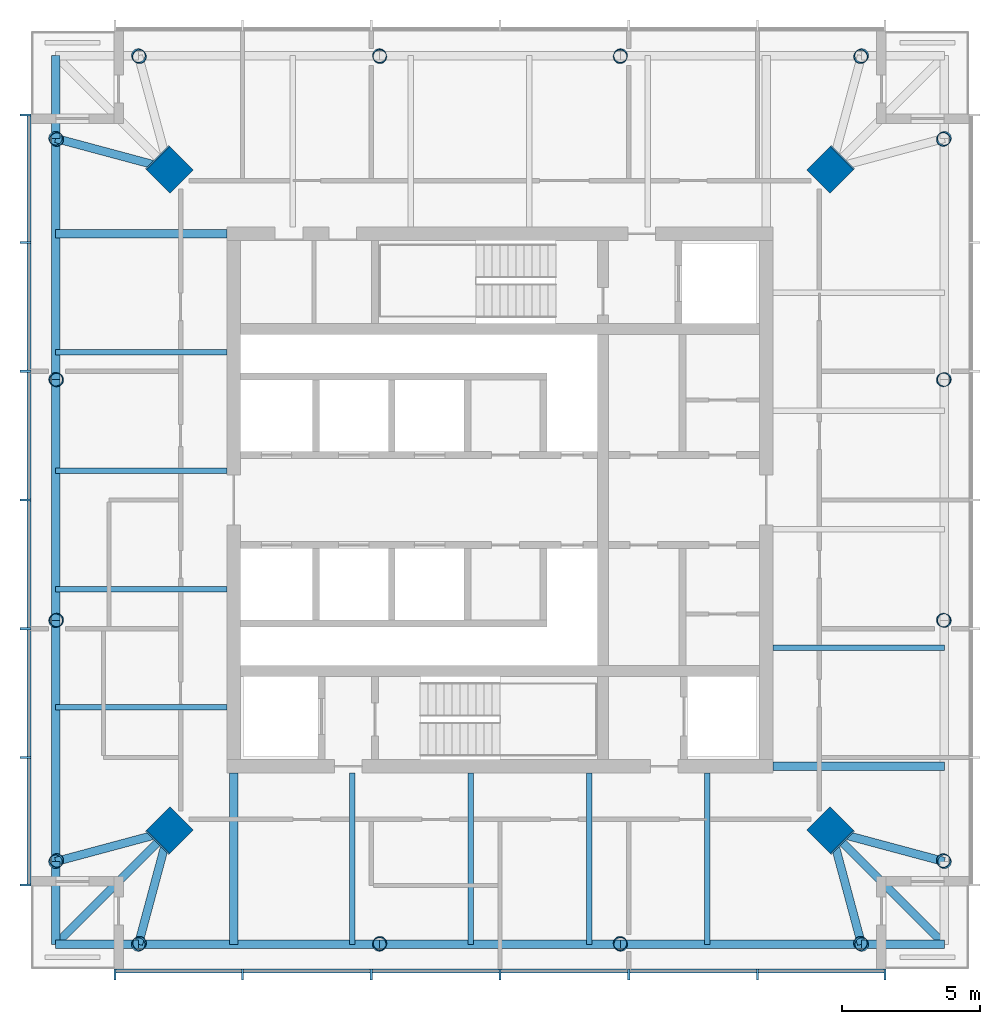
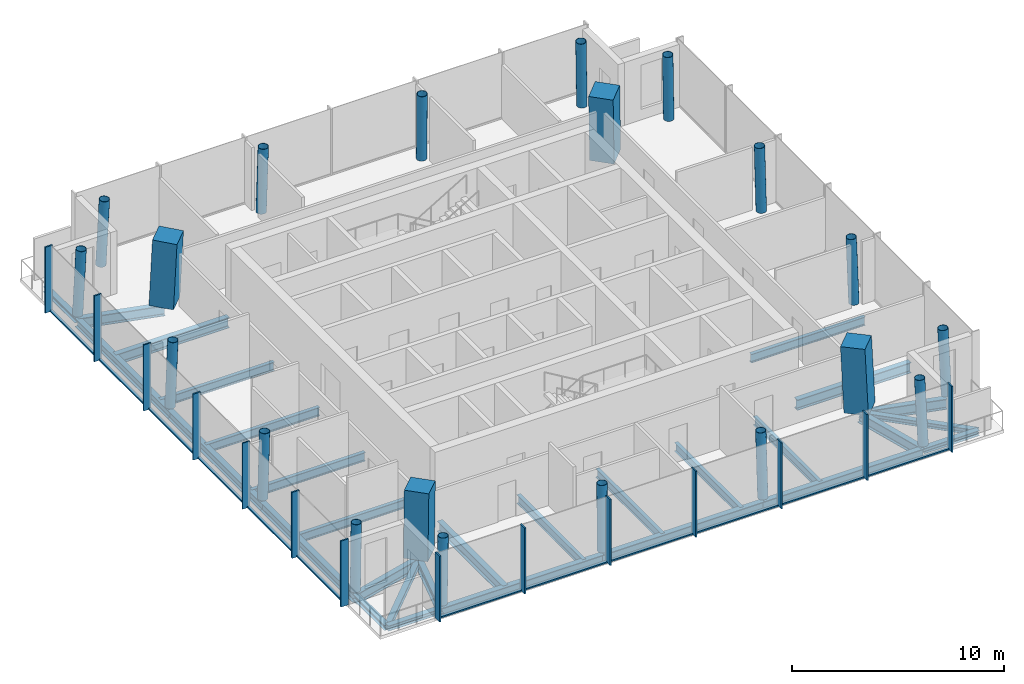
# One storey, part 1 of 7: 29 beams, 26 members, 20 columns, 2 elements without a shape of their own.
"""IFC4 building model written with IfcOpenShell, lengths in metres."""

from ifc_helpers import new_model, si_unit, direction, frame, origin, origin_2d, place, context, subcontext, project, spatial, rectangle, hollow_circle, i_section, extrude, material, material_profile, profile_set, type_object, element, aggregate, save


model = new_model("IFC4")

# Units and contexts
model_context = context("Model", 3, precision=1e-05, world=origin(), true_north=direction((0.0, 1.0)))
body_context = subcontext(model_context, "Body", "Model", "MODEL_VIEW")
ifc_project = project(units=[si_unit("LENGTHUNIT", "METRE"), si_unit("AREAUNIT", "SQUARE_METRE"), si_unit("VOLUMEUNIT", "CUBIC_METRE"), si_unit("PLANEANGLEUNIT", "RADIAN"), si_unit("MASSUNIT", "GRAM", prefix="KILO")], contexts=[model_context])

# Site, building, storey
site_placement = place(None, origin())
site = spatial("IfcSite", under=ifc_project, at=site_placement, CompositionType="ELEMENT")
building_placement = place(site_placement, origin())
building = spatial("IfcBuilding", under=site, at=building_placement, Name="Ostroluk Exchange", CompositionType="ELEMENT")
storey_placement = place(building_placement, frame((0.0, 0.0, 268.0)))
storey = spatial("IfcBuildingStorey", under=building, at=storey_placement, Name="L69", CompositionType="ELEMENT", Elevation=268.0)

# Columns
ifc_material_1 = material(Name="Concrete C50/60", Category="concrete")
ifc_material_profile_1 = material_profile(ifc_material_1, rectangle(XDim=1.199951171875, YDim=1.199951171875, at=origin_2d()), Name="RC 1200x1200")
ifc_profile_set_1 = profile_set([ifc_material_profile_1], Name="Concrete C50/60")
column_type_1 = type_object("IfcColumnType", Name="Mega column RC 1200x1200", PredefinedType="COLUMN", material=ifc_profile_set_1)
for number, where, z_axis, x_axis, name in (
    (1, (57.007080078125, 58.007080078125, 0.0), (-0.031898107953, -0.031898107953, 0.998981992539), (0.707106781187, -0.707106781187, 0.0), "T1 mega column NE"),
    (2, (32.992919921875, 58.007080078125, 0.0), (0.031898107953, -0.031898107953, 0.998981992539), (0.707106781187, 0.707106781187, 0.0), "T1 mega column NW"),
    (3, (32.992919921875, 33.992919921875, 0.0), (0.031898107953, 0.031898107953, 0.998981992539), (-0.707106781187, 0.707106781187, 0.0), "T1 mega column SW"),
    (4, (57.007080078125, 33.992919921875, 0.0), (-0.031898107953, 0.031898107953, 0.998981992539), (-0.707106781187, -0.707106781187, 0.0), "T1 mega column SE"),
):
    element("IfcColumn", number, at=place(storey_placement, frame(where, z_axis=z_axis, x_axis=x_axis)), inside=storey, type_object=column_type_1, Name=name, PredefinedType="COLUMN", context=body_context, shape_type="SweptSolid", body=[
        extrude(rectangle(XDim=1.199951171875, YDim=1.199951171875, at=origin_2d()), origin(), (0.0, 0.0, 1.0), 3.803955078125),
    ])
ifc_material_2 = material(Name="Steel S460", Category="steel")
ifc_material_profile_2 = material_profile(ifc_material_2, hollow_circle(Radius=0.25390625, WallThickness=0.02001953125, at=origin_2d()), Name="CHS 508x20")
ifc_profile_set_2 = profile_set([ifc_material_profile_2], Name="Steel S460")
column_type_2 = type_object("IfcColumnType", Name="Perimeter column CHS 508x20", PredefinedType="COLUMN", material=ifc_profile_set_2)
for number, where, z_axis, x_axis, name in (
    (5, (61.107177734375, 32.892822265625, 0.0), (-0.031962158256, 0.031962158256, 0.998977898093), (-0.707106781187, -0.707106781187, 0.0), "T1 east face column E0"),
    (6, (61.107177734375, 59.107177734375, 0.0), (-0.031962158256, -0.031962158256, 0.998977898093), (0.707106781187, -0.707106781187, 0.0), "T1 east face column E1"),
):
    element("IfcColumn", number, at=place(storey_placement, frame(where, z_axis=z_axis, x_axis=x_axis)), inside=storey, type_object=column_type_2, Name=name, PredefinedType="COLUMN", context=body_context, shape_type="SweptSolid", body=[
        extrude(hollow_circle(Radius=0.25390625, WallThickness=0.02001953125, at=origin_2d()), origin(), (0.0, 0.0, 1.0), 3.803955078125),
    ])
for number, where, z_axis, x_axis, name in (
    (7, (61.107177734375, 41.630859375, 0.0), (-0.031976680097, 0.010658893366, 0.999431778523), (-0.316227766017, -0.948683298051, 0.0), "T1 east face column I1"),
    (8, (61.107177734375, 50.369140625, 0.0), (-0.031976680097, -0.010658893366, 0.999431778523), (0.316227766017, -0.948683298051, 0.0), "T1 east face column I2"),
):
    element("IfcColumn", number, at=place(storey_placement, frame(where, z_axis=z_axis, x_axis=x_axis)), inside=storey, type_object=column_type_2, Name=name, PredefinedType="COLUMN", context=body_context, shape_type="SweptSolid", body=[
        extrude(hollow_circle(Radius=0.25390625, WallThickness=0.02001953125, at=origin_2d()), origin(), (0.0, 0.0, 1.0), 3.80224609375),
    ])
for number, where, z_axis, x_axis, name in (
    (9, (58.107177734375, 62.107177734375, 0.0), (-0.031962158256, -0.031962158256, 0.998977898093), (0.707106781187, -0.707106781187, 0.0), "T1 north face column E0"),
    (10, (31.892822265625, 62.107177734375, 0.0), (0.031962158256, -0.031962158256, 0.998977898093), (0.707106781187, 0.707106781187, 0.0), "T1 north face column E1"),
):
    element("IfcColumn", number, at=place(storey_placement, frame(where, z_axis=z_axis, x_axis=x_axis)), inside=storey, type_object=column_type_2, Name=name, PredefinedType="COLUMN", context=body_context, shape_type="SweptSolid", body=[
        extrude(hollow_circle(Radius=0.25390625, WallThickness=0.02001953125, at=origin_2d()), origin(), (0.0, 0.0, 1.0), 3.803955078125),
    ])
for number, where, z_axis, x_axis, name in (
    (11, (49.369140625, 62.107177734375, 0.0), (-0.010658893366, -0.031976680097, 0.999431778523), (0.948683298051, -0.316227766017, 0.0), "T1 north face column I1"),
    (12, (40.630859375, 62.107177734375, 0.0), (0.010658893366, -0.031976680097, 0.999431778523), (0.948683298051, 0.316227766017, 0.0), "T1 north face column I2"),
):
    element("IfcColumn", number, at=place(storey_placement, frame(where, z_axis=z_axis, x_axis=x_axis)), inside=storey, type_object=column_type_2, Name=name, PredefinedType="COLUMN", context=body_context, shape_type="SweptSolid", body=[
        extrude(hollow_circle(Radius=0.25390625, WallThickness=0.02001953125, at=origin_2d()), origin(), (0.0, 0.0, 1.0), 3.80224609375),
    ])
for number, where, z_axis, x_axis, name in (
    (13, (28.892822265625, 59.107177734375, 0.0), (0.031962158256, -0.031962158256, 0.998977898093), (0.707106781187, 0.707106781187, 0.0), "T1 west face column E0"),
    (14, (28.892822265625, 32.892822265625, 0.0), (0.031962158256, 0.031962158256, 0.998977898093), (-0.707106781187, 0.707106781187, 0.0), "T1 west face column E1"),
):
    element("IfcColumn", number, at=place(storey_placement, frame(where, z_axis=z_axis, x_axis=x_axis)), inside=storey, type_object=column_type_2, Name=name, PredefinedType="COLUMN", context=body_context, shape_type="SweptSolid", body=[
        extrude(hollow_circle(Radius=0.25390625, WallThickness=0.02001953125, at=origin_2d()), origin(), (0.0, 0.0, 1.0), 3.803955078125),
    ])
for number, where, z_axis, x_axis, name in (
    (15, (28.892822265625, 50.369140625, 0.0), (0.031976680097, -0.010658893366, 0.999431778523), (0.316227766017, 0.948683298051, 0.0), "T1 west face column I1"),
    (16, (28.892822265625, 41.630859375, 0.0), (0.031976680097, 0.010658893366, 0.999431778523), (-0.316227766017, 0.948683298051, 0.0), "T1 west face column I2"),
):
    element("IfcColumn", number, at=place(storey_placement, frame(where, z_axis=z_axis, x_axis=x_axis)), inside=storey, type_object=column_type_2, Name=name, PredefinedType="COLUMN", context=body_context, shape_type="SweptSolid", body=[
        extrude(hollow_circle(Radius=0.25390625, WallThickness=0.02001953125, at=origin_2d()), origin(), (0.0, 0.0, 1.0), 3.80224609375),
    ])
for number, where, z_axis, x_axis, name in (
    (17, (31.892822265625, 29.892822265625, 0.0), (0.031962158256, 0.031962158256, 0.998977898093), (-0.707106781187, 0.707106781187, 0.0), "T1 south face column E0"),
    (18, (58.107177734375, 29.892822265625, 0.0), (-0.031962158256, 0.031962158256, 0.998977898093), (-0.707106781187, -0.707106781187, 0.0), "T1 south face column E1"),
):
    element("IfcColumn", number, at=place(storey_placement, frame(where, z_axis=z_axis, x_axis=x_axis)), inside=storey, type_object=column_type_2, Name=name, PredefinedType="COLUMN", context=body_context, shape_type="SweptSolid", body=[
        extrude(hollow_circle(Radius=0.25390625, WallThickness=0.02001953125, at=origin_2d()), origin(), (0.0, 0.0, 1.0), 3.803955078125),
    ])
for number, where, z_axis, x_axis, name in (
    (19, (40.630859375, 29.892822265625, 0.0), (0.010658893366, 0.031976680097, 0.999431778523), (-0.948683298051, 0.316227766017, 0.0), "T1 south face column I1"),
    (20, (49.369140625, 29.892822265625, 0.0), (-0.010658893366, 0.031976680097, 0.999431778523), (-0.948683298051, -0.316227766017, 0.0), "T1 south face column I2"),
):
    element("IfcColumn", number, at=place(storey_placement, frame(where, z_axis=z_axis, x_axis=x_axis)), inside=storey, type_object=column_type_2, Name=name, PredefinedType="COLUMN", context=body_context, shape_type="SweptSolid", body=[
        extrude(hollow_circle(Radius=0.25390625, WallThickness=0.02001953125, at=origin_2d()), origin(), (0.0, 0.0, 1.0), 3.80224609375),
    ])

# Beams
ifc_material_3 = material(Name="Steel S355", Category="steel")
ifc_material_profile_3 = material_profile(ifc_material_3, i_section(OverallWidth=0.300048828125, OverallDepth=0.300048828125, WebThickness=0.010986328125, FlangeThickness=0.01904296875, FilletRadius=0.027099609375, at=origin_2d()), Name="HEB 300")
ifc_profile_set_3 = profile_set([ifc_material_profile_3], Name="Steel S355")
beam_type_1 = type_object("IfcBeamType", Name="Balcony beam HEB 300", PredefinedType="BEAM", material=ifc_profile_set_3)
for number, where, z_axis, x_axis, name in (
    (21, (28.892822265625, 59.107177734375, -0.330078125), (0.0, 1.0, 0.0), (-1.0, 0.0, 0.0), "T1 north balcony beam b"),
    (22, (28.892822265625, 32.892822265625, -0.330078125), (0.0, -1.0, 0.0), (1.0, 0.0, 0.0), "T1 west balcony beam a"),
    (23, (31.892822265625, 29.892822265625, -0.330078125), (-1.0, 0.0, 0.0), (0.0, -1.0, 0.0), "T1 west balcony beam b"),
):
    element("IfcBeam", number, at=place(storey_placement, frame(where, z_axis=z_axis, x_axis=x_axis)), inside=storey, type_object=beam_type_1, Name=name, PredefinedType="BEAM", context=body_context, shape_type="SweptSolid", body=[
        extrude(i_section(OverallWidth=0.300048828125, OverallDepth=0.300048828125, WebThickness=0.010986328125, FlangeThickness=0.01904296875, FilletRadius=0.027099609375, at=origin_2d()), origin(), (0.0, 0.0, 1.0), 3.0),
    ])
beam_1_placement = place(storey_placement, frame((32.992919921875, 33.992919921875, -0.330078125), z_axis=(-0.707106781187, -0.707106781187, 0.0), x_axis=(0.707106781187, -0.707106781187, 0.0)))
element("IfcBeam", 24, at=beam_1_placement, inside=storey, type_object=beam_type_1, Name="T1 west balcony beam c", PredefinedType="BEAM", context=body_context, shape_type="SweptSolid", body=[
    extrude(i_section(OverallWidth=0.300048828125, OverallDepth=0.300048828125, WebThickness=0.010986328125, FlangeThickness=0.01904296875, FilletRadius=0.027099609375, at=origin_2d()), origin(), (0.0, 0.0, 1.0), 5.79833984375),
])
beam_2_placement = place(storey_placement, frame((58.107177734375, 29.892822265625, -0.330078125), z_axis=(1.0, 0.0, 0.0), x_axis=(0.0, 1.0, 0.0)))
element("IfcBeam", 25, at=beam_2_placement, inside=storey, type_object=beam_type_1, Name="T1 south balcony beam a", PredefinedType="BEAM", context=body_context, shape_type="SweptSolid", body=[
    extrude(i_section(OverallWidth=0.300048828125, OverallDepth=0.300048828125, WebThickness=0.010986328125, FlangeThickness=0.01904296875, FilletRadius=0.027099609375, at=origin_2d()), origin(), (0.0, 0.0, 1.0), 3.0),
])
beam_3_placement = place(storey_placement, frame((57.007080078125, 33.992919921875, -0.330078125), z_axis=(0.707106781187, -0.707106781187, 0.0), x_axis=(0.707106781187, 0.707106781187, 0.0)))
element("IfcBeam", 26, at=beam_3_placement, inside=storey, type_object=beam_type_1, Name="T1 south balcony beam c", PredefinedType="BEAM", context=body_context, shape_type="SweptSolid", body=[
    extrude(i_section(OverallWidth=0.300048828125, OverallDepth=0.300048828125, WebThickness=0.010986328125, FlangeThickness=0.01904296875, FilletRadius=0.027099609375, at=origin_2d()), origin(), (0.0, 0.0, 1.0), 5.79833984375),
])
ifc_material_4 = material(Name="Steel S355", Category="steel")
ifc_material_profile_4 = material_profile(ifc_material_4, i_section(OverallWidth=0.300048828125, OverallDepth=0.60009765625, WebThickness=0.015380859375, FlangeThickness=0.030029296875, FilletRadius=0.027099609375, at=origin_2d()), Name="HEB 600")
ifc_profile_set_4 = profile_set([ifc_material_profile_4], Name="Steel S355")
beam_type_2 = type_object("IfcBeamType", Name="Corner edge beam HEB 600", PredefinedType="SPANDREL", material=ifc_profile_set_4)
for number, where, z_axis, x_axis, name in (
    (27, (32.992919921875, 58.007080078125, -0.47998046875), (-0.965838624319, 0.259144268261, 0.0), (-0.259144268261, -0.965838624319, 0.0), "T1 north corner edge beam b"),
    (28, (32.992919921875, 33.992919921875, -0.47998046875), (-0.965838624319, -0.259144268261, 0.0), (0.259144268261, -0.965838624319, 0.0), "T1 west corner edge beam a"),
    (29, (32.992919921875, 33.992919921875, -0.47998046875), (-0.259144268261, -0.965838624319, 0.0), (0.965838624319, -0.259144268261, 0.0), "T1 west corner edge beam b"),
    (30, (57.007080078125, 33.992919921875, -0.47998046875), (0.259144268261, -0.965838624319, 0.0), (0.965838624319, 0.259144268261, 0.0), "T1 south corner edge beam a"),
    (31, (57.007080078125, 33.992919921875, -0.47998046875), (0.965838624319, -0.259144268261, 0.0), (0.259144268261, 0.965838624319, 0.0), "T1 south corner edge beam b"),
):
    element("IfcBeam", number, at=place(storey_placement, frame(where, z_axis=z_axis, x_axis=x_axis)), inside=storey, type_object=beam_type_2, Name=name, PredefinedType="SPANDREL", context=body_context, shape_type="SweptSolid", body=[
        extrude(i_section(OverallWidth=0.300048828125, OverallDepth=0.60009765625, WebThickness=0.015380859375, FlangeThickness=0.030029296875, FilletRadius=0.027099609375, at=origin_2d()), origin(), (0.0, 0.0, 1.0), 4.2451171875),
    ])
ifc_material_5 = material(Name="Steel S355", Category="steel")
ifc_material_profile_5 = material_profile(ifc_material_5, i_section(OverallWidth=0.199951171875, OverallDepth=0.5, WebThickness=0.01025390625, FlangeThickness=0.01611328125, FilletRadius=0.02099609375, at=origin_2d()), Name="IPE 500")
ifc_profile_set_5 = profile_set([ifc_material_profile_5], Name="Steel S355")
beam_type_3 = type_object("IfcBeamType", Name="Floor beam IPE 500", PredefinedType="BEAM", material=ifc_profile_set_5)
for number, where, z_axis, x_axis, name in (
    (32, (54.89990234375, 40.642822265625, -0.429931640625), (1.0, 0.0, 0.0), (0.0, 1.0, 0.0), "T1 east floor beam 1"),
    (33, (35.10009765625, 51.357177734375, -0.429931640625), (-1.0, 0.0, 0.0), (0.0, -1.0, 0.0), "T1 west floor beam 1"),
    (34, (35.10009765625, 47.064208984375, -0.429931640625), (-1.0, 0.0, 0.0), (0.0, -1.0, 0.0), "T1 west floor beam 2"),
    (35, (35.10009765625, 42.771484375, -0.429931640625), (-1.0, 0.0, 0.0), (0.0, -1.0, 0.0), "T1 west floor beam 3"),
    (36, (35.10009765625, 38.478515625, -0.429931640625), (-1.0, 0.0, 0.0), (0.0, -1.0, 0.0), "T1 west floor beam 4"),
    (37, (39.642822265625, 36.10009765625, -0.429931640625), (0.0, -1.0, 0.0), (1.0, 0.0, 0.0), "T1 south floor beam 1"),
    (38, (43.935791015625, 36.10009765625, -0.429931640625), (0.0, -1.0, 0.0), (1.0, 0.0, 0.0), "T1 south floor beam 2"),
    (39, (48.228515625, 36.10009765625, -0.429931640625), (0.0, -1.0, 0.0), (1.0, 0.0, 0.0), "T1 south floor beam 3"),
    (40, (52.521484375, 36.10009765625, -0.429931640625), (0.0, -1.0, 0.0), (1.0, 0.0, 0.0), "T1 south floor beam 4"),
):
    element("IfcBeam", number, at=place(storey_placement, frame(where, z_axis=z_axis, x_axis=x_axis)), inside=storey, type_object=beam_type_3, Name=name, PredefinedType="BEAM", context=body_context, shape_type="SweptSolid", body=[
        extrude(i_section(OverallWidth=0.199951171875, OverallDepth=0.5, WebThickness=0.01025390625, FlangeThickness=0.01611328125, FilletRadius=0.02099609375, at=origin_2d()), origin(), (0.0, 0.0, 1.0), 6.207275390625),
    ])
ifc_material_6 = material(Name="Steel S355", Category="steel")
ifc_material_profile_6 = material_profile(ifc_material_6, i_section(OverallWidth=0.300048828125, OverallDepth=0.60009765625, WebThickness=0.015380859375, FlangeThickness=0.030029296875, FilletRadius=0.027099609375, at=origin_2d()), Name="HEB 600")
ifc_profile_set_6 = profile_set([ifc_material_profile_6], Name="Steel S355")
beam_type_4 = type_object("IfcBeamType", Name="Girder HEB 600", PredefinedType="BEAM", material=ifc_profile_set_6)
for number, where, z_axis, x_axis, name in (
    (41, (35.10009765625, 55.64990234375, -0.47998046875), (-1.0, 0.0, 0.0), (0.0, -1.0, 0.0), "T1 north girder"),
    (42, (35.35009765625, 36.10009765625, -0.47998046875), (0.0, -1.0, 0.0), (1.0, 0.0, 0.0), "T1 west girder"),
    (43, (54.89990234375, 36.35009765625, -0.47998046875), (1.0, 0.0, 0.0), (0.0, 1.0, 0.0), "T1 south girder"),
):
    element("IfcBeam", number, at=place(storey_placement, frame(where, z_axis=z_axis, x_axis=x_axis)), inside=storey, type_object=beam_type_4, Name=name, PredefinedType="BEAM", context=body_context, shape_type="SweptSolid", body=[
        extrude(i_section(OverallWidth=0.300048828125, OverallDepth=0.60009765625, WebThickness=0.015380859375, FlangeThickness=0.030029296875, FilletRadius=0.027099609375, at=origin_2d()), origin(), (0.0, 0.0, 1.0), 6.207275390625),
    ])
ifc_material_7 = material(Name="Steel S355", Category="steel")
ifc_material_profile_7 = material_profile(ifc_material_7, i_section(OverallWidth=0.300048828125, OverallDepth=0.5, WebThickness=0.014404296875, FlangeThickness=0.028076171875, FilletRadius=0.027099609375, at=origin_2d()), Name="HEB 500")
ifc_profile_set_7 = profile_set([ifc_material_profile_7], Name="Steel S355")
beam_type_5 = type_object("IfcBeamType", Name="Moment-connected edge beam HEB 500", PredefinedType="SPANDREL", material=ifc_profile_set_7)
beam_4_placement = place(storey_placement, frame((28.892822265625, 59.107177734375, -0.429931640625), z_axis=(0.0, -1.0, 0.0), x_axis=(1.0, 0.0, 0.0)))
element("IfcBeam", 44, at=beam_4_placement, inside=storey, type_object=beam_type_5, Name="T1 west edge beam 1", PredefinedType="SPANDREL", context=body_context, shape_type="SweptSolid", body=[
    extrude(i_section(OverallWidth=0.300048828125, OverallDepth=0.5, WebThickness=0.014404296875, FlangeThickness=0.028076171875, FilletRadius=0.027099609375, at=origin_2d()), origin(), (0.0, 0.0, 1.0), 8.738037109375),
])
beam_5_placement = place(storey_placement, frame((28.892822265625, 50.369140625, -0.429931640625), z_axis=(0.0, -1.0, 0.0), x_axis=(1.0, 0.0, 0.0)))
element("IfcBeam", 45, at=beam_5_placement, inside=storey, type_object=beam_type_5, Name="T1 west edge beam 2", PredefinedType="SPANDREL", context=body_context, shape_type="SweptSolid", body=[
    extrude(i_section(OverallWidth=0.300048828125, OverallDepth=0.5, WebThickness=0.014404296875, FlangeThickness=0.028076171875, FilletRadius=0.027099609375, at=origin_2d()), origin(), (0.0, 0.0, 1.0), 8.73828125),
])
for number, where, z_axis, x_axis, name in (
    (46, (28.892822265625, 41.630859375, -0.429931640625), (0.0, -1.0, 0.0), (1.0, 0.0, 0.0), "T1 west edge beam 3"),
    (47, (31.892822265625, 29.892822265625, -0.429931640625), (1.0, 0.0, 0.0), (0.0, 1.0, 0.0), "T1 south edge beam 1"),
):
    element("IfcBeam", number, at=place(storey_placement, frame(where, z_axis=z_axis, x_axis=x_axis)), inside=storey, type_object=beam_type_5, Name=name, PredefinedType="SPANDREL", context=body_context, shape_type="SweptSolid", body=[
        extrude(i_section(OverallWidth=0.300048828125, OverallDepth=0.5, WebThickness=0.014404296875, FlangeThickness=0.028076171875, FilletRadius=0.027099609375, at=origin_2d()), origin(), (0.0, 0.0, 1.0), 8.738037109375),
    ])
beam_6_placement = place(storey_placement, frame((40.630859375, 29.892822265625, -0.429931640625), z_axis=(1.0, 0.0, 0.0), x_axis=(0.0, 1.0, 0.0)))
element("IfcBeam", 48, at=beam_6_placement, inside=storey, type_object=beam_type_5, Name="T1 south edge beam 2", PredefinedType="SPANDREL", context=body_context, shape_type="SweptSolid", body=[
    extrude(i_section(OverallWidth=0.300048828125, OverallDepth=0.5, WebThickness=0.014404296875, FlangeThickness=0.028076171875, FilletRadius=0.027099609375, at=origin_2d()), origin(), (0.0, 0.0, 1.0), 8.73828125),
])
beam_7_placement = place(storey_placement, frame((49.369140625, 29.892822265625, -0.429931640625), z_axis=(1.0, 0.0, 0.0), x_axis=(0.0, 1.0, 0.0)))
element("IfcBeam", 49, at=beam_7_placement, inside=storey, type_object=beam_type_5, Name="T1 south edge beam 3", PredefinedType="SPANDREL", context=body_context, shape_type="SweptSolid", body=[
    extrude(i_section(OverallWidth=0.300048828125, OverallDepth=0.5, WebThickness=0.014404296875, FlangeThickness=0.028076171875, FilletRadius=0.027099609375, at=origin_2d()), origin(), (0.0, 0.0, 1.0), 8.738037109375),
])

# Curtain wall, members
ifc_material_8 = material(Name="Laminated clear glass", Category="glass")
curtain_wall_type = type_object("IfcCurtainWallType", Name="Office tower facade", PredefinedType="USERDEFINED", material=ifc_material_8)
curtain_wall_1_placement = place(storey_placement, origin())
curtain_wall_1 = element("IfcCurtainWall", 50, at=curtain_wall_1_placement, inside=storey, type_object=curtain_wall_type, Name="Office tower south facade L69", ObjectType="UNITISED CURTAIN WALL", PredefinedType="USERDEFINED")
ifc_material_9 = material(Name="Aluminium mullion", Category="aluminium")
ifc_material_profile_8 = material_profile(ifc_material_9, rectangle(XDim=0.14990234375, YDim=0.080078125, at=origin_2d()), Name="Sill transom 80 x 150")
ifc_profile_set_8 = profile_set([ifc_material_profile_8], Name="Aluminium mullion")
member_type_1 = type_object("IfcMemberType", Name="Sill transom 80 x 150", PredefinedType="USERDEFINED", material=ifc_profile_set_8)
member_1_placement = place(storey_placement, frame((31.080078125, 28.925048828125, 0.0400390625), z_axis=(1.0, 0.0, 0.0), x_axis=(0.0, 1.0, 0.0)))
member_1 = element("IfcMember", 51, at=member_1_placement, type_object=member_type_1, Name="CW-O1 transom 1.1", ObjectType="TRANSOM", PredefinedType="USERDEFINED", context=body_context, shape_type="SweptSolid", body=[
    extrude(rectangle(XDim=0.14990234375, YDim=0.080078125, at=origin_2d()), origin(), (0.0, 0.0, 1.0), 4.546630859375),
])
member_2_placement = place(storey_placement, frame((35.706787109375, 28.925048828125, 0.0400390625), z_axis=(1.0, 0.0, 0.0), x_axis=(0.0, 1.0, 0.0)))
member_2 = element("IfcMember", 52, at=member_2_placement, type_object=member_type_1, Name="CW-O1 transom 2.1", ObjectType="TRANSOM", PredefinedType="USERDEFINED", context=body_context, shape_type="SweptSolid", body=[
    extrude(rectangle(XDim=0.14990234375, YDim=0.080078125, at=origin_2d()), origin(), (0.0, 0.0, 1.0), 4.58642578125),
])
member_3_placement = place(storey_placement, frame((40.373291015625, 28.925048828125, 0.0400390625), z_axis=(1.0, 0.0, 0.0), x_axis=(0.0, 1.0, 0.0)))
member_3 = element("IfcMember", 53, at=member_3_placement, type_object=member_type_1, Name="CW-O1 transom 3.1", ObjectType="TRANSOM", PredefinedType="USERDEFINED", context=body_context, shape_type="SweptSolid", body=[
    extrude(rectangle(XDim=0.14990234375, YDim=0.080078125, at=origin_2d()), origin(), (0.0, 0.0, 1.0), 4.586669921875),
])
member_4_placement = place(storey_placement, frame((45.0400390625, 28.925048828125, 0.0400390625), z_axis=(1.0, 0.0, 0.0), x_axis=(0.0, 1.0, 0.0)))
member_4 = element("IfcMember", 54, at=member_4_placement, type_object=member_type_1, Name="CW-O1 transom 4.1", ObjectType="TRANSOM", PredefinedType="USERDEFINED", context=body_context, shape_type="SweptSolid", body=[
    extrude(rectangle(XDim=0.14990234375, YDim=0.080078125, at=origin_2d()), origin(), (0.0, 0.0, 1.0), 4.586669921875),
])
member_5_placement = place(storey_placement, frame((49.706787109375, 28.925048828125, 0.0400390625), z_axis=(1.0, 0.0, 0.0), x_axis=(0.0, 1.0, 0.0)))
member_5 = element("IfcMember", 55, at=member_5_placement, type_object=member_type_1, Name="CW-O1 transom 5.1", ObjectType="TRANSOM", PredefinedType="USERDEFINED", context=body_context, shape_type="SweptSolid", body=[
    extrude(rectangle(XDim=0.14990234375, YDim=0.080078125, at=origin_2d()), origin(), (0.0, 0.0, 1.0), 4.58642578125),
])
member_6_placement = place(storey_placement, frame((54.373291015625, 28.925048828125, 0.0400390625), z_axis=(1.0, 0.0, 0.0), x_axis=(0.0, 1.0, 0.0)))
member_6 = element("IfcMember", 56, at=member_6_placement, type_object=member_type_1, Name="CW-O1 transom 6.1", ObjectType="TRANSOM", PredefinedType="USERDEFINED", context=body_context, shape_type="SweptSolid", body=[
    extrude(rectangle(XDim=0.14990234375, YDim=0.080078125, at=origin_2d()), origin(), (0.0, 0.0, 1.0), 4.546630859375),
])

curtain_wall_2_placement = place(storey_placement, origin())
curtain_wall_2 = element("IfcCurtainWall", 57, at=curtain_wall_2_placement, inside=storey, type_object=curtain_wall_type, Name="Office tower west facade L69", ObjectType="UNITISED CURTAIN WALL", PredefinedType="USERDEFINED")
member_7_placement = place(storey_placement, frame((27.925048828125, 59.919921875, 0.0400390625), z_axis=(0.0, -1.0, 0.0), x_axis=(1.0, 0.0, 0.0)))
member_7 = element("IfcMember", 58, at=member_7_placement, type_object=member_type_1, Name="CW-O1 transom 1.1", ObjectType="TRANSOM", PredefinedType="USERDEFINED", context=body_context, shape_type="SweptSolid", body=[
    extrude(rectangle(XDim=0.14990234375, YDim=0.080078125, at=origin_2d()), origin(), (0.0, 0.0, 1.0), 4.546630859375),
])
member_8_placement = place(storey_placement, frame((27.925048828125, 55.293212890625, 0.0400390625), z_axis=(0.0, -1.0, 0.0), x_axis=(1.0, 0.0, 0.0)))
member_8 = element("IfcMember", 59, at=member_8_placement, type_object=member_type_1, Name="CW-O1 transom 2.1", ObjectType="TRANSOM", PredefinedType="USERDEFINED", context=body_context, shape_type="SweptSolid", body=[
    extrude(rectangle(XDim=0.14990234375, YDim=0.080078125, at=origin_2d()), origin(), (0.0, 0.0, 1.0), 4.58642578125),
])
member_9_placement = place(storey_placement, frame((27.925048828125, 50.626708984375, 0.0400390625), z_axis=(0.0, -1.0, 0.0), x_axis=(1.0, 0.0, 0.0)))
member_9 = element("IfcMember", 60, at=member_9_placement, type_object=member_type_1, Name="CW-O1 transom 3.1", ObjectType="TRANSOM", PredefinedType="USERDEFINED", context=body_context, shape_type="SweptSolid", body=[
    extrude(rectangle(XDim=0.14990234375, YDim=0.080078125, at=origin_2d()), origin(), (0.0, 0.0, 1.0), 4.586669921875),
])
member_10_placement = place(storey_placement, frame((27.925048828125, 45.9599609375, 0.0400390625), z_axis=(0.0, -1.0, 0.0), x_axis=(1.0, 0.0, 0.0)))
member_10 = element("IfcMember", 61, at=member_10_placement, type_object=member_type_1, Name="CW-O1 transom 4.1", ObjectType="TRANSOM", PredefinedType="USERDEFINED", context=body_context, shape_type="SweptSolid", body=[
    extrude(rectangle(XDim=0.14990234375, YDim=0.080078125, at=origin_2d()), origin(), (0.0, 0.0, 1.0), 4.586669921875),
])
member_11_placement = place(storey_placement, frame((27.925048828125, 41.293212890625, 0.0400390625), z_axis=(0.0, -1.0, 0.0), x_axis=(1.0, 0.0, 0.0)))
member_11 = element("IfcMember", 62, at=member_11_placement, type_object=member_type_1, Name="CW-O1 transom 5.1", ObjectType="TRANSOM", PredefinedType="USERDEFINED", context=body_context, shape_type="SweptSolid", body=[
    extrude(rectangle(XDim=0.14990234375, YDim=0.080078125, at=origin_2d()), origin(), (0.0, 0.0, 1.0), 4.58642578125),
])
member_12_placement = place(storey_placement, frame((27.925048828125, 36.626708984375, 0.0400390625), z_axis=(0.0, -1.0, 0.0), x_axis=(1.0, 0.0, 0.0)))
member_12 = element("IfcMember", 63, at=member_12_placement, type_object=member_type_1, Name="CW-O1 transom 6.1", ObjectType="TRANSOM", PredefinedType="USERDEFINED", context=body_context, shape_type="SweptSolid", body=[
    extrude(rectangle(XDim=0.14990234375, YDim=0.080078125, at=origin_2d()), origin(), (0.0, 0.0, 1.0), 4.546630859375),
])

# Member
ifc_material_10 = material(Name="Aluminium mullion with limestone facing", Category="masonry")
ifc_material_profile_9 = material_profile(ifc_material_10, rectangle(XDim=0.39990234375, YDim=0.080078125, at=origin_2d()), Name="Tracery mullion 80 x 400")
ifc_profile_set_9 = profile_set([ifc_material_profile_9], Name="Aluminium mullion with limestone facing")
member_type_2 = type_object("IfcMemberType", Name="Tracery mullion 80 x 400", PredefinedType="MULLION", material=ifc_profile_set_9)
member_13_placement = place(storey_placement, frame((31.0400390625, 28.800048828125, 0.0), z_axis=(0.0, 0.0, 1.0), x_axis=(0.0, 1.0, 0.0)))
member_13 = element("IfcMember", 64, at=member_13_placement, type_object=member_type_2, Name="CW-O1 mullion 1", PredefinedType="MULLION", context=body_context, shape_type="SweptSolid", body=[
    extrude(rectangle(XDim=0.39990234375, YDim=0.080078125, at=origin_2d()), origin(), (0.0, 0.0, 1.0), 3.800048828125),
])

member_14_placement = place(storey_placement, frame((35.666748046875, 28.800048828125, 0.0), z_axis=(0.0, 0.0, 1.0), x_axis=(0.0, 1.0, 0.0)))
member_14 = element("IfcMember", 65, at=member_14_placement, type_object=member_type_2, Name="CW-O1 mullion 2", PredefinedType="MULLION", context=body_context, shape_type="SweptSolid", body=[
    extrude(rectangle(XDim=0.39990234375, YDim=0.080078125, at=origin_2d()), origin(), (0.0, 0.0, 1.0), 3.800048828125),
])

member_15_placement = place(storey_placement, frame((40.333251953125, 28.800048828125, 0.0), z_axis=(0.0, 0.0, 1.0), x_axis=(0.0, 1.0, 0.0)))
member_15 = element("IfcMember", 66, at=member_15_placement, type_object=member_type_2, Name="CW-O1 mullion 3", PredefinedType="MULLION", context=body_context, shape_type="SweptSolid", body=[
    extrude(rectangle(XDim=0.39990234375, YDim=0.080078125, at=origin_2d()), origin(), (0.0, 0.0, 1.0), 3.800048828125),
])

member_16_placement = place(storey_placement, frame((45.0, 28.800048828125, 0.0), z_axis=(0.0, 0.0, 1.0), x_axis=(0.0, 1.0, 0.0)))
member_16 = element("IfcMember", 67, at=member_16_placement, type_object=member_type_2, Name="CW-O1 mullion 4", PredefinedType="MULLION", context=body_context, shape_type="SweptSolid", body=[
    extrude(rectangle(XDim=0.39990234375, YDim=0.080078125, at=origin_2d()), origin(), (0.0, 0.0, 1.0), 3.800048828125),
])

member_17_placement = place(storey_placement, frame((49.666748046875, 28.800048828125, 0.0), z_axis=(0.0, 0.0, 1.0), x_axis=(0.0, 1.0, 0.0)))
member_17 = element("IfcMember", 68, at=member_17_placement, type_object=member_type_2, Name="CW-O1 mullion 5", PredefinedType="MULLION", context=body_context, shape_type="SweptSolid", body=[
    extrude(rectangle(XDim=0.39990234375, YDim=0.080078125, at=origin_2d()), origin(), (0.0, 0.0, 1.0), 3.800048828125),
])

member_18_placement = place(storey_placement, frame((54.333251953125, 28.800048828125, 0.0), z_axis=(0.0, 0.0, 1.0), x_axis=(0.0, 1.0, 0.0)))
member_18 = element("IfcMember", 69, at=member_18_placement, type_object=member_type_2, Name="CW-O1 mullion 6", PredefinedType="MULLION", context=body_context, shape_type="SweptSolid", body=[
    extrude(rectangle(XDim=0.39990234375, YDim=0.080078125, at=origin_2d()), origin(), (0.0, 0.0, 1.0), 3.800048828125),
])

member_19_placement = place(storey_placement, frame((58.9599609375, 28.800048828125, 0.0), z_axis=(0.0, 0.0, 1.0), x_axis=(0.0, 1.0, 0.0)))
member_19 = element("IfcMember", 70, at=member_19_placement, type_object=member_type_2, Name="CW-O1 mullion 7", PredefinedType="MULLION", context=body_context, shape_type="SweptSolid", body=[
    extrude(rectangle(XDim=0.39990234375, YDim=0.080078125, at=origin_2d()), origin(), (0.0, 0.0, 1.0), 3.800048828125),
])

aggregate(curtain_wall_1, [member_13, member_14, member_15, member_16, member_17, member_18, member_19, member_1, member_2, member_3, member_4, member_5, member_6])

member_20_placement = place(storey_placement, frame((27.800048828125, 59.9599609375, 0.0), z_axis=(0.0, 0.0, 1.0), x_axis=(1.0, 0.0, 0.0)))
member_20 = element("IfcMember", 71, at=member_20_placement, type_object=member_type_2, Name="CW-O1 mullion 1", PredefinedType="MULLION", context=body_context, shape_type="SweptSolid", body=[
    extrude(rectangle(XDim=0.39990234375, YDim=0.080078125, at=origin_2d()), origin(), (0.0, 0.0, 1.0), 3.800048828125),
])

member_21_placement = place(storey_placement, frame((27.800048828125, 55.333251953125, 0.0), z_axis=(0.0, 0.0, 1.0), x_axis=(1.0, 0.0, 0.0)))
member_21 = element("IfcMember", 72, at=member_21_placement, type_object=member_type_2, Name="CW-O1 mullion 2", PredefinedType="MULLION", context=body_context, shape_type="SweptSolid", body=[
    extrude(rectangle(XDim=0.39990234375, YDim=0.080078125, at=origin_2d()), origin(), (0.0, 0.0, 1.0), 3.800048828125),
])

member_22_placement = place(storey_placement, frame((27.800048828125, 50.666748046875, 0.0), z_axis=(0.0, 0.0, 1.0), x_axis=(1.0, 0.0, 0.0)))
member_22 = element("IfcMember", 73, at=member_22_placement, type_object=member_type_2, Name="CW-O1 mullion 3", PredefinedType="MULLION", context=body_context, shape_type="SweptSolid", body=[
    extrude(rectangle(XDim=0.39990234375, YDim=0.080078125, at=origin_2d()), origin(), (0.0, 0.0, 1.0), 3.800048828125),
])

member_23_placement = place(storey_placement, frame((27.800048828125, 46.0, 0.0), z_axis=(0.0, 0.0, 1.0), x_axis=(1.0, 0.0, 0.0)))
member_23 = element("IfcMember", 74, at=member_23_placement, type_object=member_type_2, Name="CW-O1 mullion 4", PredefinedType="MULLION", context=body_context, shape_type="SweptSolid", body=[
    extrude(rectangle(XDim=0.39990234375, YDim=0.080078125, at=origin_2d()), origin(), (0.0, 0.0, 1.0), 3.800048828125),
])

member_24_placement = place(storey_placement, frame((27.800048828125, 41.333251953125, 0.0), z_axis=(0.0, 0.0, 1.0), x_axis=(1.0, 0.0, 0.0)))
member_24 = element("IfcMember", 75, at=member_24_placement, type_object=member_type_2, Name="CW-O1 mullion 5", PredefinedType="MULLION", context=body_context, shape_type="SweptSolid", body=[
    extrude(rectangle(XDim=0.39990234375, YDim=0.080078125, at=origin_2d()), origin(), (0.0, 0.0, 1.0), 3.800048828125),
])

member_25_placement = place(storey_placement, frame((27.800048828125, 36.666748046875, 0.0), z_axis=(0.0, 0.0, 1.0), x_axis=(1.0, 0.0, 0.0)))
member_25 = element("IfcMember", 76, at=member_25_placement, type_object=member_type_2, Name="CW-O1 mullion 6", PredefinedType="MULLION", context=body_context, shape_type="SweptSolid", body=[
    extrude(rectangle(XDim=0.39990234375, YDim=0.080078125, at=origin_2d()), origin(), (0.0, 0.0, 1.0), 3.800048828125),
])

member_26_placement = place(storey_placement, frame((27.800048828125, 32.0400390625, 0.0), z_axis=(0.0, 0.0, 1.0), x_axis=(1.0, 0.0, 0.0)))
member_26 = element("IfcMember", 77, at=member_26_placement, type_object=member_type_2, Name="CW-O1 mullion 7", PredefinedType="MULLION", context=body_context, shape_type="SweptSolid", body=[
    extrude(rectangle(XDim=0.39990234375, YDim=0.080078125, at=origin_2d()), origin(), (0.0, 0.0, 1.0), 3.800048828125),
])

aggregate(curtain_wall_2, [member_20, member_21, member_22, member_23, member_24, member_25, member_26, member_7, member_8, member_9, member_10, member_11, member_12])

save(model, "model.ifc")
